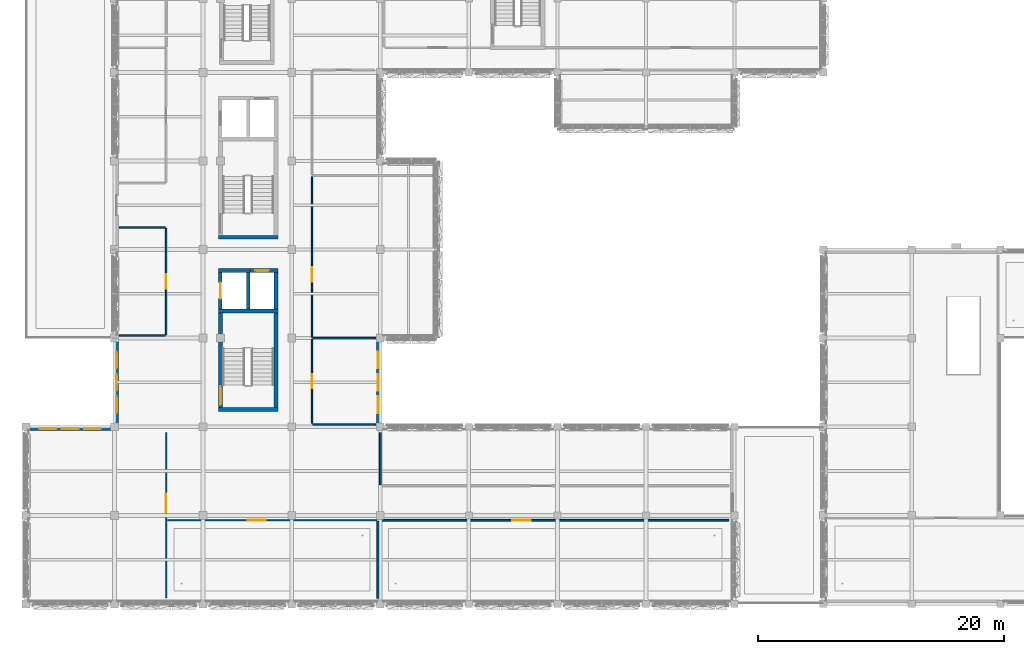
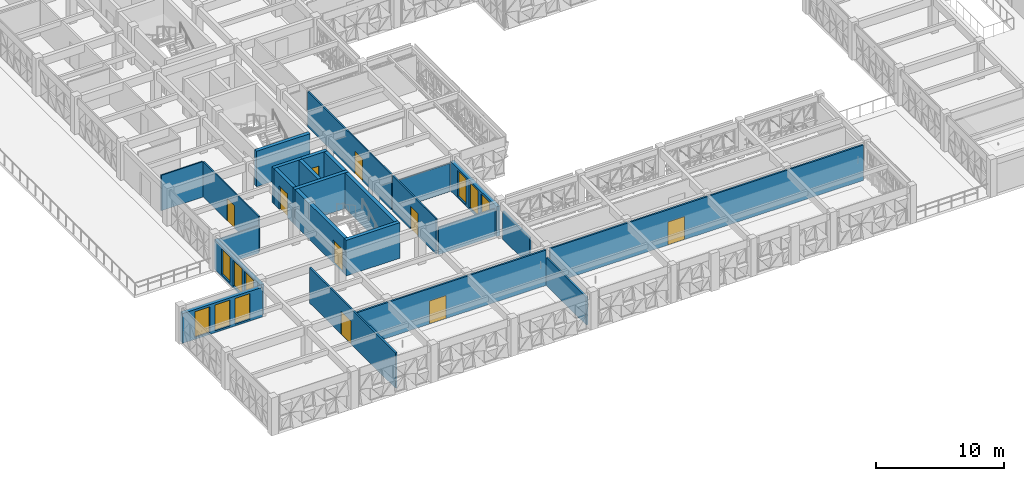
# One storey, part 44 of 85: 25 walls, 9 doors, 9 windows, 18 openings.
"""IFC4 building model written with IfcOpenShell, lengths in metres."""

from ifc_helpers import new_model, si_unit, direction, frame, frame_2d, origin, place, context, subcontext, project, spatial, rectangle, extrude, material, layer, layer_set, type_object, element, fill, save


model = new_model("IFC4")

# Units and contexts
model_context = context("Model", 3, precision=1e-05, world=origin(), true_north=direction((0.0, 1.0)))
body_context = subcontext(model_context, "Body", "Model", "MODEL_VIEW")
ifc_project = project(units=[si_unit("LENGTHUNIT", "METRE"), si_unit("AREAUNIT", "SQUARE_METRE"), si_unit("VOLUMEUNIT", "CUBIC_METRE"), si_unit("PLANEANGLEUNIT", "RADIAN"), si_unit("MASSUNIT", "GRAM", prefix="KILO")], contexts=[model_context])

# Site, building, storey
site_placement = place(None, origin())
site = spatial("IfcSite", under=ifc_project, at=site_placement, CompositionType="ELEMENT")
building_placement = place(site_placement, origin())
building = spatial("IfcBuilding", under=site, at=building_placement, Name="Alvorim Cloister Faculty of Sciences", CompositionType="ELEMENT")
storey_placement = place(building_placement, frame((0.0, 0.0, 8.550048828125)))
storey = spatial("IfcBuildingStorey", under=building, at=storey_placement, Name="L02", CompositionType="ELEMENT", Elevation=8.550048828125)

# Wall, openings, windows
ifc_material_1 = material(Name="Precast Concrete C40", Category="concrete")
ifc_layer_1 = layer(ifc_material_1, 0.320068359375)
ifc_layer_set_1 = layer_set([ifc_layer_1], Name="Precast Concrete C40")
wall_type_1 = type_object("IfcWallType", Name="WL-EXT-PC-320", PredefinedType="SOLIDWALL", material=ifc_layer_set_1)
wall_1_placement = place(storey_placement, frame((7.360107421875, 14.39990234375, 0.0), z_axis=(0.0, 0.0, 1.0), x_axis=(0.0, 1.0, 0.0)))
wall_1 = element("IfcWall", 1, at=wall_1_placement, inside=storey, type_object=wall_type_1, Name="L02 Exterior Wall WL-0155", PredefinedType="SOLIDWALL", context=body_context, shape_type="SweptSolid", body=[
    extrude(rectangle(XDim=7.2001953125, YDim=0.320068359375, at=frame_2d((3.60009765625, 0.0))), origin(), (0.0, 0.0, 1.0), 2.83984375),
])
opening_1_placement = place(wall_1_placement, frame((1.112548828125, 0.0, 0.179931640625)))
opening_1 = element("IfcOpeningElement", 2, at=opening_1_placement, cuts=wall_1, Name="Opening W-18", PredefinedType="OPENING", context=body_context, shape_type="SweptSolid", body=[
    extrude(rectangle(XDim=1.35009765625, YDim=2.449951171875, at=frame_2d((0.675048828125, 1.22509765625))), frame((0.0, 0.171875, 0.0), z_axis=(0.0, -1.0, 0.0), x_axis=(1.0, 0.0, 0.0)), (0.0, 0.0, 1.0), 0.343994140625),
])
opening_2_placement = place(wall_1_placement, frame((2.925048828125, 0.0, 0.179931640625)))
opening_2 = element("IfcOpeningElement", 3, at=opening_2_placement, cuts=wall_1, Name="Opening W-18", PredefinedType="OPENING", context=body_context, shape_type="SweptSolid", body=[
    extrude(rectangle(XDim=1.35009765625, YDim=2.449951171875, at=frame_2d((0.675048828125, 1.22509765625))), frame((0.0, 0.171875, 0.0), z_axis=(0.0, -1.0, 0.0), x_axis=(1.0, 0.0, 0.0)), (0.0, 0.0, 1.0), 0.343994140625),
])
opening_3_placement = place(wall_1_placement, frame((4.737548828125, 0.0, 0.179931640625)))
opening_3 = element("IfcOpeningElement", 4, at=opening_3_placement, cuts=wall_1, Name="Opening W-18", PredefinedType="OPENING", context=body_context, shape_type="SweptSolid", body=[
    extrude(rectangle(XDim=1.35009765625, YDim=2.449951171875, at=frame_2d((0.675048828125, 1.22509765625))), frame((0.0, 0.171875, 0.0), z_axis=(0.0, -1.0, 0.0), x_axis=(1.0, 0.0, 0.0)), (0.0, 0.0, 1.0), 0.343994140625),
])
ifc_material_2 = material(Name="Double Low-E Laminated Glass", Category="glass")
window_type = type_object("IfcWindowType", Name="WN-LAB-1350x2450", PartitioningType="SINGLE_PANEL", PredefinedType="WINDOW", material=ifc_material_2)
window_1_placement = place(opening_1_placement, origin())
window_1 = element("IfcWindow", 5, at=window_1_placement, inside=storey, type_object=window_type, Name="L02 Full-Height Entrance Atrium Glazed Bay WN-0227", OverallHeight=2.449951171875, OverallWidth=1.35009765625, PartitioningType="SINGLE_PANEL", PredefinedType="WINDOW", context=body_context, shape_type="SweptSolid", body=[
    extrude(rectangle(XDim=1.35009765625, YDim=2.449951171875, at=frame_2d((0.675048828125, 1.22509765625))), frame((0.0, 0.030029296875, 0.0), z_axis=(0.0, -1.0, 0.0), x_axis=(1.0, 0.0, 0.0)), (0.0, 0.0, 1.0), 0.06005859375),
])
fill(opening_1, window_1)
window_2_placement = place(opening_2_placement, origin())
window_2 = element("IfcWindow", 6, at=window_2_placement, inside=storey, type_object=window_type, Name="L02 Full-Height Entrance Atrium Glazed Bay WN-0228", OverallHeight=2.449951171875, OverallWidth=1.35009765625, PartitioningType="SINGLE_PANEL", PredefinedType="WINDOW", context=body_context, shape_type="SweptSolid", body=[
    extrude(rectangle(XDim=1.35009765625, YDim=2.449951171875, at=frame_2d((0.675048828125, 1.22509765625))), frame((0.0, 0.030029296875, 0.0), z_axis=(0.0, -1.0, 0.0), x_axis=(1.0, 0.0, 0.0)), (0.0, 0.0, 1.0), 0.06005859375),
])
fill(opening_2, window_2)
window_3_placement = place(opening_3_placement, origin())
window_3 = element("IfcWindow", 7, at=window_3_placement, inside=storey, type_object=window_type, Name="L02 Full-Height Entrance Atrium Glazed Bay WN-0229", OverallHeight=2.449951171875, OverallWidth=1.35009765625, PartitioningType="SINGLE_PANEL", PredefinedType="WINDOW", context=body_context, shape_type="SweptSolid", body=[
    extrude(rectangle(XDim=1.35009765625, YDim=2.449951171875, at=frame_2d((0.675048828125, 1.22509765625))), frame((0.0, 0.030029296875, 0.0), z_axis=(0.0, -1.0, 0.0), x_axis=(1.0, 0.0, 0.0)), (0.0, 0.0, 1.0), 0.06005859375),
])
fill(opening_3, window_3)

wall_2_placement = place(storey_placement, frame((28.639892578125, 14.39990234375, 0.0), z_axis=(0.0, 0.0, 1.0), x_axis=(0.0, 1.0, 0.0)))
wall_2 = element("IfcWall", 8, at=wall_2_placement, inside=storey, type_object=wall_type_1, Name="L02 Exterior Wall WL-0177", PredefinedType="SOLIDWALL", context=body_context, shape_type="SweptSolid", body=[
    extrude(rectangle(XDim=7.2001953125, YDim=0.320068359375, at=frame_2d((3.60009765625, 0.0))), origin(), (0.0, 0.0, 1.0), 2.83984375),
])
opening_4_placement = place(wall_2_placement, frame((1.112548828125, 0.0, 0.179931640625)))
opening_4 = element("IfcOpeningElement", 9, at=opening_4_placement, cuts=wall_2, Name="Opening W-18", PredefinedType="OPENING", context=body_context, shape_type="SweptSolid", body=[
    extrude(rectangle(XDim=1.35009765625, YDim=2.449951171875, at=frame_2d((0.675048828125, 1.22509765625))), frame((0.0, 0.171875, 0.0), z_axis=(0.0, -1.0, 0.0), x_axis=(1.0, 0.0, 0.0)), (0.0, 0.0, 1.0), 0.343994140625),
])
opening_5_placement = place(wall_2_placement, frame((2.925048828125, 0.0, 0.179931640625)))
opening_5 = element("IfcOpeningElement", 10, at=opening_5_placement, cuts=wall_2, Name="Opening W-18", PredefinedType="OPENING", context=body_context, shape_type="SweptSolid", body=[
    extrude(rectangle(XDim=1.35009765625, YDim=2.449951171875, at=frame_2d((0.675048828125, 1.22509765625))), frame((0.0, 0.171875, 0.0), z_axis=(0.0, -1.0, 0.0), x_axis=(1.0, 0.0, 0.0)), (0.0, 0.0, 1.0), 0.343994140625),
])
opening_6_placement = place(wall_2_placement, frame((4.737548828125, 0.0, 0.179931640625)))
opening_6 = element("IfcOpeningElement", 11, at=opening_6_placement, cuts=wall_2, Name="Opening W-18", PredefinedType="OPENING", context=body_context, shape_type="SweptSolid", body=[
    extrude(rectangle(XDim=1.35009765625, YDim=2.449951171875, at=frame_2d((0.675048828125, 1.22509765625))), frame((0.0, 0.171875, 0.0), z_axis=(0.0, -1.0, 0.0), x_axis=(1.0, 0.0, 0.0)), (0.0, 0.0, 1.0), 0.343994140625),
])
window_4_placement = place(opening_4_placement, origin())
window_4 = element("IfcWindow", 12, at=window_4_placement, inside=storey, type_object=window_type, Name="L02 Full-Height Entrance Atrium Glazed Bay WN-0230", OverallHeight=2.449951171875, OverallWidth=1.35009765625, PartitioningType="SINGLE_PANEL", PredefinedType="WINDOW", context=body_context, shape_type="SweptSolid", body=[
    extrude(rectangle(XDim=1.35009765625, YDim=2.449951171875, at=frame_2d((0.675048828125, 1.22509765625))), frame((0.0, 0.030029296875, 0.0), z_axis=(0.0, -1.0, 0.0), x_axis=(1.0, 0.0, 0.0)), (0.0, 0.0, 1.0), 0.06005859375),
])
fill(opening_4, window_4)
window_5_placement = place(opening_5_placement, origin())
window_5 = element("IfcWindow", 13, at=window_5_placement, inside=storey, type_object=window_type, Name="L02 Full-Height Entrance Atrium Glazed Bay WN-0231", OverallHeight=2.449951171875, OverallWidth=1.35009765625, PartitioningType="SINGLE_PANEL", PredefinedType="WINDOW", context=body_context, shape_type="SweptSolid", body=[
    extrude(rectangle(XDim=1.35009765625, YDim=2.449951171875, at=frame_2d((0.675048828125, 1.22509765625))), frame((0.0, 0.030029296875, 0.0), z_axis=(0.0, -1.0, 0.0), x_axis=(1.0, 0.0, 0.0)), (0.0, 0.0, 1.0), 0.06005859375),
])
fill(opening_5, window_5)
window_6_placement = place(opening_6_placement, origin())
window_6 = element("IfcWindow", 14, at=window_6_placement, inside=storey, type_object=window_type, Name="L02 Full-Height Entrance Atrium Glazed Bay WN-0232", OverallHeight=2.449951171875, OverallWidth=1.35009765625, PartitioningType="SINGLE_PANEL", PredefinedType="WINDOW", context=body_context, shape_type="SweptSolid", body=[
    extrude(rectangle(XDim=1.35009765625, YDim=2.449951171875, at=frame_2d((0.675048828125, 1.22509765625))), frame((0.0, 0.030029296875, 0.0), z_axis=(0.0, -1.0, 0.0), x_axis=(1.0, 0.0, 0.0)), (0.0, 0.0, 1.0), 0.06005859375),
])
fill(opening_6, window_6)

wall_3_placement = place(storey_placement, frame((0.0, 14.239990234375, 0.0), z_axis=(0.0, 0.0, 1.0), x_axis=(1.0, 0.0, 0.0)))
wall_3 = element("IfcWall", 15, at=wall_3_placement, inside=storey, type_object=wall_type_1, Name="L02 Exterior Wall WL-0179", PredefinedType="SOLIDWALL", context=body_context, shape_type="SweptSolid", body=[
    extrude(rectangle(XDim=7.199951171875, YDim=0.320068359375, at=frame_2d((3.60009765625, 0.0))), origin(), (0.0, 0.0, 1.0), 2.83984375),
])
opening_7_placement = place(wall_3_placement, frame((1.112548828125, 0.0, 0.179931640625)))
opening_7 = element("IfcOpeningElement", 16, at=opening_7_placement, cuts=wall_3, Name="Opening W-18", PredefinedType="OPENING", context=body_context, shape_type="SweptSolid", body=[
    extrude(rectangle(XDim=1.35009765625, YDim=2.449951171875, at=frame_2d((0.675048828125, 1.22509765625))), frame((0.0, 0.171875, 0.0), z_axis=(0.0, -1.0, 0.0), x_axis=(1.0, 0.0, 0.0)), (0.0, 0.0, 1.0), 0.343994140625),
])
opening_8_placement = place(wall_3_placement, frame((2.925048828125, 0.0, 0.179931640625)))
opening_8 = element("IfcOpeningElement", 17, at=opening_8_placement, cuts=wall_3, Name="Opening W-18", PredefinedType="OPENING", context=body_context, shape_type="SweptSolid", body=[
    extrude(rectangle(XDim=1.35009765625, YDim=2.449951171875, at=frame_2d((0.675048828125, 1.22509765625))), frame((0.0, 0.171875, 0.0), z_axis=(0.0, -1.0, 0.0), x_axis=(1.0, 0.0, 0.0)), (0.0, 0.0, 1.0), 0.343994140625),
])
opening_9_placement = place(wall_3_placement, frame((4.737548828125, 0.0, 0.179931640625)))
opening_9 = element("IfcOpeningElement", 18, at=opening_9_placement, cuts=wall_3, Name="Opening W-18", PredefinedType="OPENING", context=body_context, shape_type="SweptSolid", body=[
    extrude(rectangle(XDim=1.35009765625, YDim=2.449951171875, at=frame_2d((0.675048828125, 1.22509765625))), frame((0.0, 0.171875, 0.0), z_axis=(0.0, -1.0, 0.0), x_axis=(1.0, 0.0, 0.0)), (0.0, 0.0, 1.0), 0.343994140625),
])
window_7_placement = place(opening_7_placement, origin())
window_7 = element("IfcWindow", 19, at=window_7_placement, inside=storey, type_object=window_type, Name="L02 Full-Height Entrance Atrium Glazed Bay WN-0233", OverallHeight=2.449951171875, OverallWidth=1.35009765625, PartitioningType="SINGLE_PANEL", PredefinedType="WINDOW", context=body_context, shape_type="SweptSolid", body=[
    extrude(rectangle(XDim=1.35009765625, YDim=2.449951171875, at=frame_2d((0.675048828125, 1.22509765625))), frame((0.0, 0.030029296875, 0.0), z_axis=(0.0, -1.0, 0.0), x_axis=(1.0, 0.0, 0.0)), (0.0, 0.0, 1.0), 0.06005859375),
])
fill(opening_7, window_7)
window_8_placement = place(opening_8_placement, origin())
window_8 = element("IfcWindow", 20, at=window_8_placement, inside=storey, type_object=window_type, Name="L02 Full-Height Entrance Atrium Glazed Bay WN-0234", OverallHeight=2.449951171875, OverallWidth=1.35009765625, PartitioningType="SINGLE_PANEL", PredefinedType="WINDOW", context=body_context, shape_type="SweptSolid", body=[
    extrude(rectangle(XDim=1.35009765625, YDim=2.449951171875, at=frame_2d((0.675048828125, 1.22509765625))), frame((0.0, 0.030029296875, 0.0), z_axis=(0.0, -1.0, 0.0), x_axis=(1.0, 0.0, 0.0)), (0.0, 0.0, 1.0), 0.06005859375),
])
fill(opening_8, window_8)
window_9_placement = place(opening_9_placement, origin())
window_9 = element("IfcWindow", 21, at=window_9_placement, inside=storey, type_object=window_type, Name="L02 Full-Height Entrance Atrium Glazed Bay WN-0235", OverallHeight=2.449951171875, OverallWidth=1.35009765625, PartitioningType="SINGLE_PANEL", PredefinedType="WINDOW", context=body_context, shape_type="SweptSolid", body=[
    extrude(rectangle(XDim=1.35009765625, YDim=2.449951171875, at=frame_2d((0.675048828125, 1.22509765625))), frame((0.0, 0.030029296875, 0.0), z_axis=(0.0, -1.0, 0.0), x_axis=(1.0, 0.0, 0.0)), (0.0, 0.0, 1.0), 0.06005859375),
])
fill(opening_9, window_9)

# Wall
ifc_material_3 = material(Name="Acoustic Gypsum Stud Partition", Category="gypsum")
ifc_layer_2 = layer(ifc_material_3, 0.1201171875)
ifc_layer_set_2 = layer_set([ifc_layer_2], Name="Acoustic Gypsum Stud Partition")
wall_type_2 = type_object("IfcWallType", Name="WL-PRT-120", PredefinedType="PARTITIONING", material=ifc_layer_set_2)
wall_4_placement = place(storey_placement, frame((7.580078125, 21.800048828125, 0.0), z_axis=(0.0, 0.0, 1.0), x_axis=(1.0, 0.0, 0.0)))
element("IfcWall", 22, at=wall_4_placement, inside=storey, type_object=wall_type_2, Name="L02 West Bar Seminar Room 201 Partition IWL-0545", PredefinedType="PARTITIONING", context=body_context, shape_type="SweptSolid", body=[
    extrude(rectangle(XDim=3.739990234375, YDim=0.1201171875, at=frame_2d((1.8701171875, 0.0))), origin(), (0.0, 0.0, 1.0), 2.594970703125),
])

# Wall, opening, door
wall_5_placement = place(storey_placement, frame((11.39990234375, 21.8798828125, 0.0), z_axis=(0.0, 0.0, 1.0), x_axis=(0.0, 1.0, 0.0)))
wall_5 = element("IfcWall", 23, at=wall_5_placement, inside=storey, type_object=wall_type_2, Name="L02 West Bar Seminar Room 201 Partition IWL-0546", PredefinedType="PARTITIONING", context=body_context, shape_type="SweptSolid", body=[
    extrude(rectangle(XDim=8.64013671875, YDim=0.1201171875, at=frame_2d((4.320068359375, 0.0))), origin(), (0.0, 0.0, 1.0), 3.375),
])
opening_10_placement = place(wall_5_placement, frame((3.719970703125, 0.0, 0.0)))
opening_10 = element("IfcOpeningElement", 24, at=opening_10_placement, cuts=wall_5, Name="Opening D-L02-125", PredefinedType="OPENING", context=body_context, shape_type="SweptSolid", body=[
    extrude(rectangle(XDim=1.199951171875, YDim=2.14990234375, at=frame_2d((0.60009765625, 1.074951171875))), frame((0.0, 0.072021484375, 0.0), z_axis=(0.0, -1.0, 0.0), x_axis=(1.0, 0.0, 0.0)), (0.0, 0.0, 1.0), 0.14404296875),
])
ifc_material_4 = material(Name="Solid Acoustic Oak Timber", Category="wood")
door_type_1 = type_object("IfcDoorType", Name="DR-SEM-1200x2150", OperationType="NOTDEFINED", PredefinedType="DOOR", material=ifc_material_4)
door_1_placement = place(opening_10_placement, origin())
door_1 = element("IfcDoor", 25, at=door_1_placement, inside=storey, type_object=door_type_1, Name="West Bar Seminar Room 201 Door D-L02-125", OperationType="SINGLE_SWING_RIGHT", OverallHeight=2.14990234375, OverallWidth=1.199951171875, PredefinedType="DOOR", context=body_context, shape_type="SweptSolid", body=[
    extrude(rectangle(XDim=1.199951171875, YDim=2.14990234375, at=frame_2d((0.60009765625, 1.074951171875))), frame((0.0, 0.02490234375, 0.0), z_axis=(0.0, -1.0, 0.0), x_axis=(1.0, 0.0, 0.0)), (0.0, 0.0, 1.0), 0.050048828125),
])
fill(opening_10, door_1)

# Wall
wall_6_placement = place(storey_placement, frame((7.580078125, 30.60009765625, 0.0), z_axis=(0.0, 0.0, 1.0), x_axis=(1.0, 0.0, 0.0)))
element("IfcWall", 26, at=wall_6_placement, inside=storey, type_object=wall_type_2, Name="L02 West Bar Seminar Room 201 Partition IWL-0547", PredefinedType="PARTITIONING", context=body_context, shape_type="SweptSolid", body=[
    extrude(rectangle(XDim=3.739990234375, YDim=0.1201171875, at=frame_2d((1.8701171875, 0.0))), origin(), (0.0, 0.0, 1.0), 3.375),
])

# Wall, opening, door
wall_7_placement = place(storey_placement, frame((23.25, 14.679931640625, 0.0), z_axis=(0.0, 0.0, 1.0), x_axis=(0.0, 1.0, 0.0)))
wall_7 = element("IfcWall", 27, at=wall_7_placement, inside=storey, type_object=wall_type_2, Name="L02 Atrium East Faculty Suite Partition IWL-0553", PredefinedType="PARTITIONING", context=body_context, shape_type="SweptSolid", body=[
    extrude(rectangle(XDim=6.840087890625, YDim=0.1201171875, at=frame_2d((3.419921875, 0.0))), origin(), (0.0, 0.0, 1.0), 3.375),
])
opening_11_placement = place(wall_7_placement, frame((2.844970703125, 0.0, 0.0)))
opening_11 = element("IfcOpeningElement", 28, at=opening_11_placement, cuts=wall_7, Name="Opening D-L02-128", PredefinedType="OPENING", context=body_context, shape_type="SweptSolid", body=[
    extrude(rectangle(XDim=1.14990234375, YDim=2.179931640625, at=frame_2d((0.574951171875, 1.08984375))), frame((0.0, 0.072021484375, 0.0), z_axis=(0.0, -1.0, 0.0), x_axis=(1.0, 0.0, 0.0)), (0.0, 0.0, 1.0), 0.14404296875),
])
door_type_2 = type_object("IfcDoorType", Name="DR-OFF-1150x2180", OperationType="NOTDEFINED", PredefinedType="DOOR", material=ifc_material_4)
door_2_placement = place(opening_11_placement, origin())
door_2 = element("IfcDoor", 29, at=door_2_placement, inside=storey, type_object=door_type_2, Name="Atrium East Faculty Suite Door D-L02-128", OperationType="SINGLE_SWING_RIGHT", OverallHeight=2.179931640625, OverallWidth=1.14990234375, PredefinedType="DOOR", context=body_context, shape_type="SweptSolid", body=[
    extrude(rectangle(XDim=1.14990234375, YDim=2.179931640625, at=frame_2d((0.574951171875, 1.08984375))), frame((0.0, 0.02490234375, 0.0), z_axis=(0.0, -1.0, 0.0), x_axis=(1.0, 0.0, 0.0)), (0.0, 0.0, 1.0), 0.050048828125),
])
fill(opening_11, door_2)

# Walls
wall_8_placement = place(storey_placement, frame((23.330078125, 14.60009765625, 0.0), z_axis=(0.0, 0.0, 1.0), x_axis=(1.0, 0.0, 0.0)))
element("IfcWall", 30, at=wall_8_placement, inside=storey, type_object=wall_type_2, Name="L02 Atrium East Faculty Suite Partition IWL-0554", PredefinedType="PARTITIONING", context=body_context, shape_type="SweptSolid", body=[
    extrude(rectangle(XDim=5.08984375, YDim=0.1201171875, at=frame_2d((2.544921875, 0.0))), origin(), (0.0, 0.0, 1.0), 2.594970703125),
])
wall_9_placement = place(storey_placement, frame((23.330078125, 21.60009765625, 0.0), z_axis=(0.0, 0.0, 1.0), x_axis=(1.0, 0.0, 0.0)))
element("IfcWall", 31, at=wall_9_placement, inside=storey, type_object=wall_type_2, Name="L02 Atrium East Faculty Suite Partition IWL-0555", PredefinedType="PARTITIONING", context=body_context, shape_type="SweptSolid", body=[
    extrude(rectangle(XDim=5.08984375, YDim=0.1201171875, at=frame_2d((2.544921875, 0.0))), origin(), (0.0, 0.0, 1.0), 2.69091796875),
])

# Wall, opening, door
wall_10_placement = place(storey_placement, frame((23.25, 21.679931640625, 0.0), z_axis=(0.0, 0.0, 1.0), x_axis=(0.0, 1.0, 0.0)))
wall_10 = element("IfcWall", 32, at=wall_10_placement, inside=storey, type_object=wall_type_2, Name="L02 Cantilevered Cloister Overlook Salon Partition IWL-0556", PredefinedType="PARTITIONING", context=body_context, shape_type="SweptSolid", body=[
    extrude(rectangle(XDim=13.0400390625, YDim=0.1201171875, at=frame_2d((6.52001953125, 0.0))), origin(), (0.0, 0.0, 1.0), 3.375),
])
opening_12_placement = place(wall_10_placement, frame((4.4951171875, 0.0, 0.0)))
opening_12 = element("IfcOpeningElement", 33, at=opening_12_placement, cuts=wall_10, Name="Opening D-L02-129", PredefinedType="OPENING", context=body_context, shape_type="SweptSolid", body=[
    extrude(rectangle(XDim=1.199951171875, YDim=2.14990234375, at=frame_2d((0.60009765625, 1.074951171875))), frame((0.0, 0.072021484375, 0.0), z_axis=(0.0, -1.0, 0.0), x_axis=(1.0, 0.0, 0.0)), (0.0, 0.0, 1.0), 0.14404296875),
])
door_3_placement = place(opening_12_placement, origin())
door_3 = element("IfcDoor", 34, at=door_3_placement, inside=storey, type_object=door_type_1, Name="Cantilevered Cloister Overlook Salon Door D-L02-129", OperationType="SINGLE_SWING_LEFT", OverallHeight=2.14990234375, OverallWidth=1.199951171875, PredefinedType="DOOR", context=body_context, shape_type="SweptSolid", body=[
    extrude(rectangle(XDim=1.199951171875, YDim=2.14990234375, at=frame_2d((0.60009765625, 1.074951171875))), frame((0.0, 0.02490234375, 0.0), z_axis=(0.0, -1.0, 0.0), x_axis=(1.0, 0.0, 0.0)), (0.0, 0.0, 1.0), 0.050048828125),
])
fill(opening_12, door_3)

ifc_material_5 = material(Name="Gypsum Fireboard Stud Partition", Category="gypsum")
ifc_layer_3 = layer(ifc_material_5, 0.14990234375)
ifc_layer_set_3 = layer_set([ifc_layer_3], Name="Gypsum Fireboard Stud Partition")
wall_type_3 = type_object("IfcWallType", Name="WL-PRT-150", PredefinedType="PARTITIONING", material=ifc_layer_set_3)
wall_11_placement = place(storey_placement, frame((11.39990234375, 0.47998046875, 0.0), z_axis=(0.0, 0.0, 1.0), x_axis=(0.0, 1.0, 0.0)))
wall_11 = element("IfcWall", 35, at=wall_11_placement, inside=storey, type_object=wall_type_3, Name="L02 Organic Chemistry Teaching Lab Partition IWL-0539", PredefinedType="PARTITIONING", context=body_context, shape_type="SweptSolid", body=[
    extrude(rectangle(XDim=13.43994140625, YDim=0.14990234375, at=frame_2d((6.719970703125, 0.0))), origin(), (0.0, 0.0, 1.0), 3.375),
])
opening_13_placement = place(wall_11_placement, frame((6.969970703125, 0.0, 0.0)))
opening_13 = element("IfcOpeningElement", 36, at=opening_13_placement, cuts=wall_11, Name="Opening D-L02-121", PredefinedType="OPENING", context=body_context, shape_type="SweptSolid", body=[
    extrude(rectangle(XDim=1.5, YDim=2.199951171875, at=frame_2d((0.75, 1.10009765625))), frame((0.0, 0.0869140625, 0.0), z_axis=(0.0, -1.0, 0.0), x_axis=(1.0, 0.0, 0.0)), (0.0, 0.0, 1.0), 0.173828125),
])
ifc_material_6 = material(Name="Fire-Rated Laminate Timber", Category="wood")
door_type_3 = type_object("IfcDoorType", Name="DR-LAB-1500x2200", OperationType="NOTDEFINED", PredefinedType="DOOR", material=ifc_material_6)
door_4_placement = place(opening_13_placement, origin())
door_4 = element("IfcDoor", 37, at=door_4_placement, inside=storey, type_object=door_type_3, Name="Organic Chemistry Teaching Lab Door D-L02-121", OperationType="DOUBLE_DOOR_SINGLE_SWING", OverallHeight=2.199951171875, OverallWidth=1.5, PredefinedType="DOOR", context=body_context, shape_type="SweptSolid", body=[
    extrude(rectangle(XDim=1.5, YDim=2.199951171875, at=frame_2d((0.75, 1.10009765625))), frame((0.0, 0.02490234375, 0.0), z_axis=(0.0, -1.0, 0.0), x_axis=(1.0, 0.0, 0.0)), (0.0, 0.0, 1.0), 0.050048828125),
])
fill(opening_13, door_4)

# Wall
wall_12_placement = place(storey_placement, frame((28.60009765625, 0.47998046875, 0.0), z_axis=(0.0, 0.0, 1.0), x_axis=(0.0, 1.0, 0.0)))
element("IfcWall", 38, at=wall_12_placement, inside=storey, type_object=wall_type_3, Name="L02 Analytical Balance and NMR Prep Partition IWL-0540", PredefinedType="PARTITIONING", context=body_context, shape_type="SweptSolid", body=[
    extrude(rectangle(XDim=6.239990234375, YDim=0.14990234375, at=frame_2d((3.1201171875, 0.0))), origin(), (0.0, 0.0, 1.0), 2.655029296875),
])

# Wall, opening, door
wall_13_placement = place(storey_placement, frame((11.514892578125, 6.800048828125, 0.0), z_axis=(0.0, 0.0, 1.0), x_axis=(1.0, 0.0, 0.0)))
wall_13 = element("IfcWall", 39, at=wall_13_placement, inside=storey, type_object=wall_type_3, Name="L02 Analytical Balance and NMR Prep Partition IWL-0541", PredefinedType="PARTITIONING", context=body_context, shape_type="SweptSolid", body=[
    extrude(rectangle(XDim=17.005126953125, YDim=0.14990234375, at=frame_2d((8.50244140625, 0.0))), origin(), (0.0, 0.0, 1.0), 3.375),
])
opening_14_placement = place(wall_13_placement, frame((6.4970703125, 0.0, 0.0)))
opening_14 = element("IfcOpeningElement", 40, at=opening_14_placement, cuts=wall_13, Name="Opening D-L02-122", PredefinedType="OPENING", context=body_context, shape_type="SweptSolid", body=[
    extrude(rectangle(XDim=1.5, YDim=2.199951171875, at=frame_2d((0.75, 1.10009765625))), frame((0.0, 0.0869140625, 0.0), z_axis=(0.0, -1.0, 0.0), x_axis=(1.0, 0.0, 0.0)), (0.0, 0.0, 1.0), 0.173828125),
])
door_5_placement = place(opening_14_placement, origin())
door_5 = element("IfcDoor", 41, at=door_5_placement, inside=storey, type_object=door_type_3, Name="Analytical Balance and NMR Prep Door D-L02-122", OperationType="DOUBLE_DOOR_SINGLE_SWING", OverallHeight=2.199951171875, OverallWidth=1.5, PredefinedType="DOOR", context=body_context, shape_type="SweptSolid", body=[
    extrude(rectangle(XDim=1.5, YDim=2.199951171875, at=frame_2d((0.75, 1.10009765625))), frame((0.0, 0.02490234375, 0.0), z_axis=(0.0, -1.0, 0.0), x_axis=(1.0, 0.0, 0.0)), (0.0, 0.0, 1.0), 0.050048828125),
])
fill(opening_14, door_5)

wall_14_placement = place(storey_placement, frame((28.8798828125, 6.800048828125, 0.0), z_axis=(0.0, 0.0, 1.0), x_axis=(1.0, 0.0, 0.0)))
wall_14 = element("IfcWall", 42, at=wall_14_placement, inside=storey, type_object=wall_type_3, Name="L02 Inorganic Synthesis Laboratory Partition IWL-0542", PredefinedType="PARTITIONING", context=body_context, shape_type="SweptSolid", body=[
    extrude(rectangle(XDim=28.240234375, YDim=0.14990234375, at=frame_2d((14.1201171875, 0.0))), origin(), (0.0, 0.0, 1.0), 3.375),
])
opening_15_placement = place(wall_14_placement, frame((10.63037109375, 0.0, 0.0)))
opening_15 = element("IfcOpeningElement", 43, at=opening_15_placement, cuts=wall_14, Name="Opening D-L02-123", PredefinedType="OPENING", context=body_context, shape_type="SweptSolid", body=[
    extrude(rectangle(XDim=1.5, YDim=2.199951171875, at=frame_2d((0.75, 1.10009765625))), frame((0.0, 0.0869140625, 0.0), z_axis=(0.0, -1.0, 0.0), x_axis=(1.0, 0.0, 0.0)), (0.0, 0.0, 1.0), 0.173828125),
])
door_6_placement = place(opening_15_placement, origin())
door_6 = element("IfcDoor", 44, at=door_6_placement, inside=storey, type_object=door_type_3, Name="Inorganic Synthesis Laboratory Door D-L02-123", OperationType="DOUBLE_DOOR_SINGLE_SWING", OverallHeight=2.199951171875, OverallWidth=1.5, PredefinedType="DOOR", context=body_context, shape_type="SweptSolid", body=[
    extrude(rectangle(XDim=1.5, YDim=2.199951171875, at=frame_2d((0.75, 1.10009765625))), frame((0.0, 0.02490234375, 0.0), z_axis=(0.0, -1.0, 0.0), x_axis=(1.0, 0.0, 0.0)), (0.0, 0.0, 1.0), 0.050048828125),
])
fill(opening_15, door_6)

# Walls
wall_15_placement = place(storey_placement, frame((28.800048828125, 9.679931640625, 0.0), z_axis=(0.0, 0.0, 1.0), x_axis=(0.0, 1.0, 0.0)))
element("IfcWall", 45, at=wall_15_placement, inside=storey, type_object=wall_type_3, Name="L02 Physical Chemistry Teaching Lab Partition IWL-0543", PredefinedType="PARTITIONING", context=body_context, shape_type="SweptSolid", body=[
    extrude(rectangle(XDim=4.239990234375, YDim=0.14990234375, at=frame_2d((2.1201171875, 0.0))), origin(), (0.0, 0.0, 1.0), 2.655029296875),
])
ifc_material_7 = material(Name="Concrete C40", Category="concrete")
ifc_layer_4 = layer(ifc_material_7, 0.300048828125)
ifc_layer_set_4 = layer_set([ifc_layer_4], Name="Concrete C40")
wall_type_4 = type_object("IfcWallType", Name="WL-SHR-300", PredefinedType="SHEAR", material=ifc_layer_set_4)
wall_16_placement = place(storey_placement, frame((15.64990234375, 27.10009765625, 0.0), z_axis=(0.0, 0.0, 1.0), x_axis=(1.0, 0.0, 0.0)))
element("IfcWall", 46, at=wall_16_placement, inside=storey, type_object=wall_type_4, Name="L02 Lift LF-01 Shaft Wall IWL-0242", PredefinedType="SHEAR", context=body_context, shape_type="SweptSolid", body=[
    extrude(rectangle(XDim=2.56005859375, YDim=0.300048828125, at=frame_2d((1.280029296875, 0.0))), origin(), (0.0, 0.0, 1.0), 3.389892578125),
])

# Wall, opening, door
wall_17_placement = place(storey_placement, frame((15.800048828125, 23.97998046875, 0.0), z_axis=(0.0, 0.0, 1.0), x_axis=(0.0, 1.0, 0.0)))
wall_17 = element("IfcWall", 47, at=wall_17_placement, inside=storey, type_object=wall_type_4, Name="L02 Lift LF-01 Shaft Wall IWL-0243", PredefinedType="SHEAR", context=body_context, shape_type="SweptSolid", body=[
    extrude(rectangle(XDim=2.969970703125, YDim=0.300048828125, at=frame_2d((1.48486328125, 0.0))), origin(), (0.0, 0.0, 1.0), 3.389892578125),
])
opening_16_placement = place(wall_17_placement, frame((0.8349609375, 0.0, 0.0)))
opening_16 = element("IfcOpeningElement", 48, at=opening_16_placement, cuts=wall_17, Name="Opening LD-004", PredefinedType="OPENING", context=body_context, shape_type="SweptSolid", body=[
    extrude(rectangle(XDim=1.300048828125, YDim=2.25, at=frame_2d((0.64990234375, 1.125))), frame((0.0, 0.162109375, 0.0), z_axis=(0.0, -1.0, 0.0), x_axis=(1.0, 0.0, 0.0)), (0.0, 0.0, 1.0), 0.323974609375),
])
ifc_material_8 = material(Name="Brushed Stainless Steel", Category="steel")
door_type_4 = type_object("IfcDoorType", Name="DR-LFT-1300x2250", OperationType="NOTDEFINED", PredefinedType="DOOR", material=ifc_material_8)
door_7_placement = place(opening_16_placement, origin())
door_7 = element("IfcDoor", 49, at=door_7_placement, inside=storey, type_object=door_type_4, Name="L02 Lift LF-01 Sliding Landing Door LD-004", OperationType="DOUBLE_DOOR_SLIDING", OverallHeight=2.25, OverallWidth=1.300048828125, PredefinedType="DOOR", context=body_context, shape_type="SweptSolid", body=[
    extrude(rectangle(XDim=1.300048828125, YDim=2.25, at=frame_2d((0.64990234375, 1.125))), frame((0.0, 0.02490234375, 0.0), z_axis=(0.0, -1.0, 0.0), x_axis=(1.0, 0.0, 0.0)), (0.0, 0.0, 1.0), 0.050048828125),
])
fill(opening_16, door_7)

# Wall
wall_18_placement = place(storey_placement, frame((18.06005859375, 23.97998046875, 0.0), z_axis=(0.0, 0.0, 1.0), x_axis=(0.0, 1.0, 0.0)))
element("IfcWall", 50, at=wall_18_placement, inside=storey, type_object=wall_type_4, Name="L02 Lift LF-01 Shaft Wall IWL-0244", PredefinedType="SHEAR", context=body_context, shape_type="SweptSolid", body=[
    extrude(rectangle(XDim=2.969970703125, YDim=0.300048828125, at=frame_2d((1.48486328125, 0.0))), origin(), (0.0, 0.0, 1.0), 3.389892578125),
])

# Wall, opening, door
wall_19_placement = place(storey_placement, frame((17.909912109375, 27.10009765625, 0.0), z_axis=(0.0, 0.0, 1.0), x_axis=(1.0, 0.0, 0.0)))
wall_19 = element("IfcWall", 51, at=wall_19_placement, inside=storey, type_object=wall_type_4, Name="L02 Lift LP-01 Shaft Wall IWL-0272", PredefinedType="SHEAR", context=body_context, shape_type="SweptSolid", body=[
    extrude(rectangle(XDim=2.56005859375, YDim=0.300048828125, at=frame_2d((1.280029296875, 0.0))), origin(), (0.0, 0.0, 1.0), 3.389892578125),
])
opening_17_placement = place(wall_19_placement, frame((0.72998046875, 0.0, 0.0)))
opening_17 = element("IfcOpeningElement", 52, at=opening_17_placement, cuts=wall_19, Name="Opening LD-015", PredefinedType="OPENING", context=body_context, shape_type="SweptSolid", body=[
    extrude(rectangle(XDim=1.10009765625, YDim=2.199951171875, at=frame_2d((0.550048828125, 1.10009765625))), frame((0.0, 0.162109375, 0.0), z_axis=(0.0, -1.0, 0.0), x_axis=(1.0, 0.0, 0.0)), (0.0, 0.0, 1.0), 0.323974609375),
])
door_type_5 = type_object("IfcDoorType", Name="DR-LFT-1100x2200", OperationType="NOTDEFINED", PredefinedType="DOOR", material=ifc_material_8)
door_8_placement = place(opening_17_placement, origin())
door_8 = element("IfcDoor", 53, at=door_8_placement, inside=storey, type_object=door_type_5, Name="L02 Lift LP-01 Sliding Landing Door LD-015", OperationType="DOUBLE_DOOR_SLIDING", OverallHeight=2.199951171875, OverallWidth=1.10009765625, PredefinedType="DOOR", context=body_context, shape_type="SweptSolid", body=[
    extrude(rectangle(XDim=1.10009765625, YDim=2.199951171875, at=frame_2d((0.550048828125, 1.10009765625))), frame((0.0, 0.02490234375, 0.0), z_axis=(0.0, -1.0, 0.0), x_axis=(1.0, 0.0, 0.0)), (0.0, 0.0, 1.0), 0.050048828125),
])
fill(opening_17, door_8)

# Walls
wall_20_placement = place(storey_placement, frame((20.320068359375, 23.97998046875, 0.0), z_axis=(0.0, 0.0, 1.0), x_axis=(0.0, 1.0, 0.0)))
element("IfcWall", 54, at=wall_20_placement, inside=storey, type_object=wall_type_4, Name="L02 Lift LP-01 Shaft Wall IWL-0273", PredefinedType="SHEAR", context=body_context, shape_type="SweptSolid", body=[
    extrude(rectangle(XDim=2.969970703125, YDim=0.300048828125, at=frame_2d((1.48486328125, 0.0))), origin(), (0.0, 0.0, 1.0), 3.389892578125),
])
ifc_layer_5 = layer(ifc_material_7, 0.320068359375)
ifc_layer_set_5 = layer_set([ifc_layer_5], Name="Concrete C40")
wall_type_5 = type_object("IfcWallType", Name="WL-SHR-320", PredefinedType="SHEAR", material=ifc_layer_set_5)
for number, where, z_axis, x_axis, name in (
    (55, (15.639892578125, 15.800048828125, 0.0), (0.0, 0.0, 1.0), (1.0, 0.0, 0.0), "L02 CORE K1 Shear Wall IWL-0013"),
    (56, (15.639892578125, 23.800048828125, 0.0), (0.0, 0.0, 1.0), (1.0, 0.0, 0.0), "L02 CORE K1 Shear Wall IWL-0014"),
):
    element("IfcWall", number, at=place(storey_placement, frame(where, z_axis=z_axis, x_axis=x_axis)), inside=storey, type_object=wall_type_5, Name=name, PredefinedType="SHEAR", context=body_context, shape_type="SweptSolid", body=[
        extrude(rectangle(XDim=4.840087890625, YDim=0.320068359375, at=frame_2d((2.419921875, 0.0))), origin(), (0.0, 0.0, 1.0), 3.389892578125),
    ])

# Wall, opening, door
wall_21_placement = place(storey_placement, frame((15.800048828125, 15.9599609375, 0.0), z_axis=(0.0, 0.0, 1.0), x_axis=(0.0, 1.0, 0.0)))
wall_21 = element("IfcWall", 57, at=wall_21_placement, inside=storey, type_object=wall_type_5, Name="L02 CORE K1 Shear Wall IWL-0015", PredefinedType="SHEAR", context=body_context, shape_type="SweptSolid", body=[
    extrude(rectangle(XDim=7.679931640625, YDim=0.320068359375, at=frame_2d((3.83984375, 0.0))), origin(), (0.0, 0.0, 1.0), 3.389892578125),
])
opening_18_placement = place(wall_21_placement, frame((0.219970703125, 0.0, 0.0)))
opening_18 = element("IfcOpeningElement", 58, at=opening_18_placement, cuts=wall_21, Name="Opening SD-K1-L02", PredefinedType="OPENING", context=body_context, shape_type="SweptSolid", body=[
    extrude(rectangle(XDim=1.5, YDim=2.199951171875, at=frame_2d((0.75, 1.10009765625))), frame((0.0, 0.171875, 0.0), z_axis=(0.0, -1.0, 0.0), x_axis=(1.0, 0.0, 0.0)), (0.0, 0.0, 1.0), 0.343994140625),
])
ifc_material_9 = material(Name="Galvanised Fire-Rated Steel", Category="steel")
door_type_6 = type_object("IfcDoorType", Name="DR-STR-1500x2200", OperationType="NOTDEFINED", PredefinedType="DOOR", material=ifc_material_9)
door_9_placement = place(opening_18_placement, origin())
door_9 = element("IfcDoor", 59, at=door_9_placement, inside=storey, type_object=door_type_6, Name="L02 Stair ST-01 Fire Door SD-K1-L02", OperationType="DOUBLE_DOOR_SINGLE_SWING", OverallHeight=2.199951171875, OverallWidth=1.5, PredefinedType="DOOR", context=body_context, shape_type="SweptSolid", body=[
    extrude(rectangle(XDim=1.5, YDim=2.199951171875, at=frame_2d((0.75, 1.10009765625))), frame((0.0, 0.02490234375, 0.0), z_axis=(0.0, -1.0, 0.0), x_axis=(1.0, 0.0, 0.0)), (0.0, 0.0, 1.0), 0.050048828125),
])
fill(opening_18, door_9)

# Walls
wall_22_placement = place(storey_placement, frame((20.320068359375, 15.9599609375, 0.0), z_axis=(0.0, 0.0, 1.0), x_axis=(0.0, 1.0, 0.0)))
element("IfcWall", 60, at=wall_22_placement, inside=storey, type_object=wall_type_5, Name="L02 CORE K1 Shear Wall IWL-0016", PredefinedType="SHEAR", context=body_context, shape_type="SweptSolid", body=[
    extrude(rectangle(XDim=7.679931640625, YDim=0.320068359375, at=frame_2d((3.83984375, 0.0))), origin(), (0.0, 0.0, 1.0), 3.389892578125),
])
wall_23_placement = place(storey_placement, frame((15.639892578125, 29.800048828125, 0.0), z_axis=(0.0, 0.0, 1.0), x_axis=(1.0, 0.0, 0.0)))
element("IfcWall", 61, at=wall_23_placement, inside=storey, type_object=wall_type_5, Name="L02 CORE K2 Shear Wall IWL-0057", PredefinedType="SHEAR", context=body_context, shape_type="SweptSolid", body=[
    extrude(rectangle(XDim=4.840087890625, YDim=0.320068359375, at=frame_2d((2.419921875, 0.0))), origin(), (0.0, 0.0, 1.0), 3.389892578125),
])

save(model, "model.ifc")
